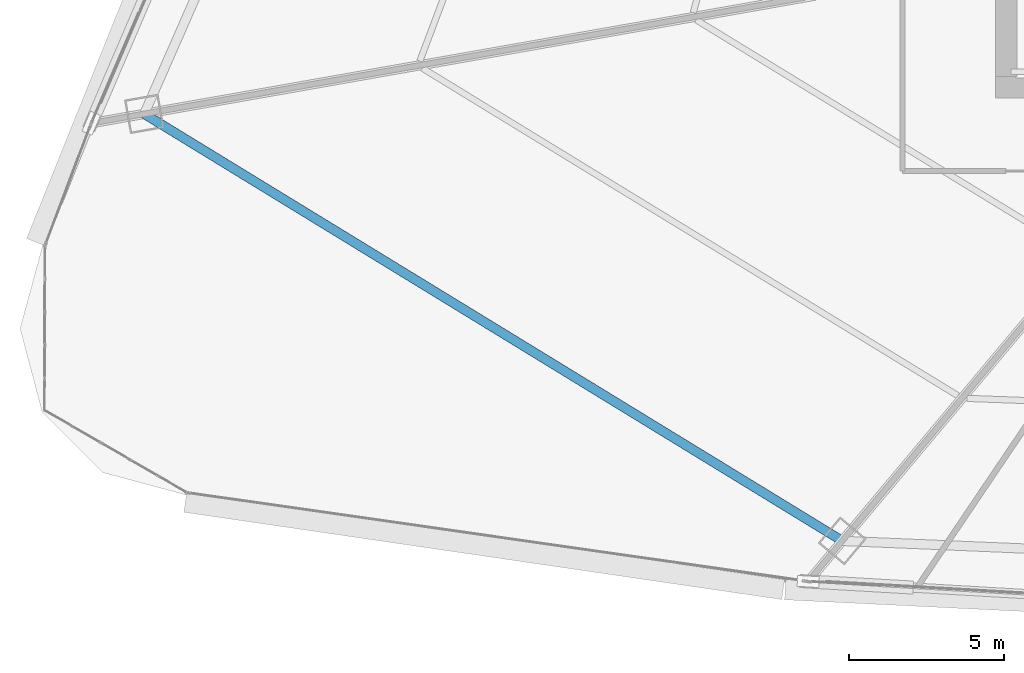
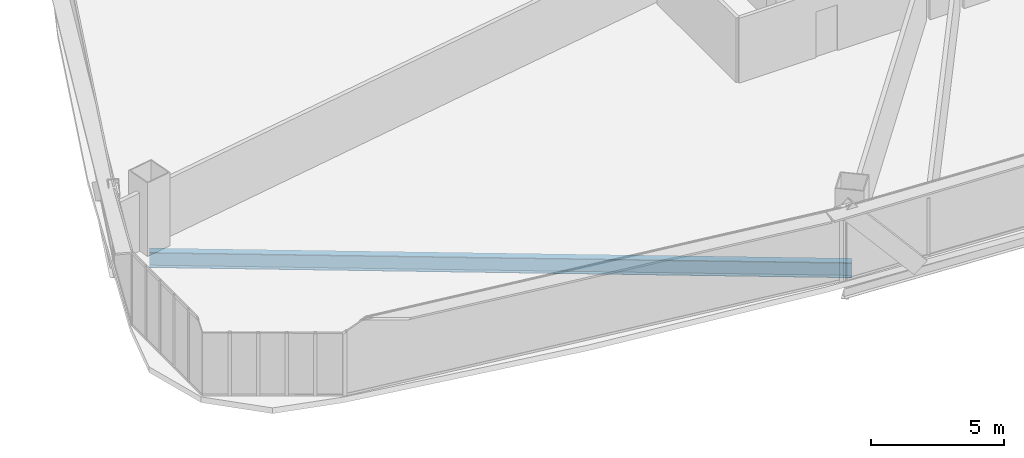
# One storey, part 5 of 42: 1 beam.
"""IFC4 building model written with IfcOpenShell, lengths in metres."""

import ifcopenshell
import ifcopenshell.guid

model = None  # the IFC model being written
_history = None  # IfcOwnerHistory: only IFC2X3 demands one
_inside = {}  # id of a spatial element -> (the spatial element, [elements in it])
_under = {}  # id of a project, library or spatial element -> (it, [spatial elements below it])
_declared = {}  # id of a project -> (the project, [libraries it declares])
_typed = {}  # id of a type object -> (the type object, [elements of that type])
_made_of = {}  # id of a material, layer set ... -> (it, [elements and type objects made of it])


def new_model(schema):
    """Start an empty IFC model of exactly this schema.

    Asked for "IFC4X3", IfcOpenShell would pick the latest addendum, in which some entities
    have other attributes; the version numbers below select the first issue.
    IFC2X3 requires an IfcOwnerHistory on every rooted entity: one is made here for all.
    """
    global model, _history
    if schema == "IFC4X3":
        model = ifcopenshell.file(schema_version=(4, 3, 0, 0))
    else:
        model = ifcopenshell.file(schema=schema)
    _inside.clear()
    _under.clear()
    _declared.clear()
    _typed.clear()
    _made_of.clear()
    _history = None
    if model.schema == "IFC2X3":
        org = make("IfcOrganization", Name="unknown")
        user = make(
            "IfcPersonAndOrganization",
            ThePerson=make("IfcPerson", FamilyName="unknown"),
            TheOrganization=org,
        )
        app = make(
            "IfcApplication",
            ApplicationDeveloper=org,
            Version="unknown",
            ApplicationFullName="unknown",
            ApplicationIdentifier="unknown",
        )
        _history = make(
            "IfcOwnerHistory",
            OwningUser=user,
            OwningApplication=app,
            ChangeAction="ADDED",
            CreationDate=0,
        )
    return model


def make(cls, **values):
    """One entity of the class cls with the attributes given. An attribute that is None is left unset."""
    return model.create_entity(
        cls, **{name: value for name, value in values.items() if value is not None}
    )


def rooted(cls, **values):
    """An entity with a GlobalId (a new one), such as an element, a storey or a relation."""
    return make(cls, GlobalId=ifcopenshell.guid.new(), OwnerHistory=_history, **values)


def si_unit(unit_type, name, prefix=None):
    """IfcSIUnit, for example si_unit("LENGTHUNIT", "METRE", prefix="MILLI")."""
    return make("IfcSIUnit", UnitType=unit_type, Prefix=prefix, Name=name)


def assignment(units):
    """IfcUnitAssignment: the units of a project."""
    return None if units is None else make("IfcUnitAssignment", Units=units)


def point(xyz):
    """IfcCartesianPoint."""
    return None if xyz is None else make("IfcCartesianPoint", Coordinates=xyz)


def direction(xyz):
    """IfcDirection."""
    return None if xyz is None else make("IfcDirection", DirectionRatios=xyz)


def frame(location, z_axis=None, x_axis=None):
    """IfcAxis2Placement3D, a coordinate frame: its origin and axes. An axis left out is left unset."""
    return make(
        "IfcAxis2Placement3D",
        Location=point(location),
        Axis=direction(z_axis),
        RefDirection=direction(x_axis),
    )


def frame_2d(location, x_axis=None):
    """IfcAxis2Placement2D, a coordinate frame in the plane: its origin and x axis."""
    return make(
        "IfcAxis2Placement2D", Location=point(location), RefDirection=direction(x_axis)
    )


def origin():
    """The frame at (0, 0, 0) with its axes left unset."""
    return frame((0.0, 0.0, 0.0))


def origin_2d():
    """The frame at (0, 0) in the plane with its x axis left unset."""
    return frame_2d((0.0, 0.0))


def place(relative_to, where):
    """IfcLocalPlacement: puts the frame where relative to a parent placement (None: the world)."""
    return make(
        "IfcLocalPlacement", PlacementRelTo=relative_to, RelativePlacement=where
    )


def context(
    kind, dimensions, precision=None, world=None, true_north=None, identifier=None
):
    """IfcGeometricRepresentationContext, for example the 3D "Model" context."""
    return make(
        "IfcGeometricRepresentationContext",
        ContextIdentifier=identifier,
        ContextType=kind,
        CoordinateSpaceDimension=dimensions,
        Precision=precision,
        WorldCoordinateSystem=world,
        TrueNorth=true_north,
    )


def subcontext(parent, identifier, kind, view, scale=None):
    """IfcGeometricRepresentationSubContext, for example "Body" below "Model"."""
    return make(
        "IfcGeometricRepresentationSubContext",
        ContextIdentifier=identifier,
        ContextType=kind,
        ParentContext=parent,
        TargetScale=scale,
        TargetView=view,
    )


def project(units=None, contexts=None):
    """IfcProject with its units and contexts."""
    return rooted(
        "IfcProject",
        Name="project",
        RepresentationContexts=contexts,
        UnitsInContext=assignment(units),
    )


def spatial(cls, under=None, at=None, **own):
    """A site, building, storey or space (cls), placed at a placement, below another one or the project."""
    s = rooted(cls, ObjectPlacement=at, **own)
    if under is not None:
        _under.setdefault(under.id(), (under, []))[1].append(s)
    return s


def profile(cls, at=None, kind="AREA", **sizes):
    """A parametric profile (cls). Its sizes go by their IFC names, for example OverallWidth=200.0."""
    return make(cls, ProfileType=kind, Position=at, **sizes)


def i_section(**sizes):
    """IfcIShapeProfileDef."""
    return profile("IfcIShapeProfileDef", **sizes)


def extrude(swept, where, along, depth):
    """IfcExtrudedAreaSolid: the profile swept, set in the frame where, extruded along a direction by depth."""
    return make(
        "IfcExtrudedAreaSolid",
        SweptArea=swept,
        Position=where,
        ExtrudedDirection=direction(along),
        Depth=depth,
    )


def shape(context_of_items, identifier, shape_type, items):
    """IfcShapeRepresentation: the items that make up one representation, for example the "Body"."""
    return make(
        "IfcShapeRepresentation",
        ContextOfItems=context_of_items,
        RepresentationIdentifier=identifier,
        RepresentationType=shape_type,
        Items=items,
    )


def source(mapping_origin, context_of_items, identifier, shape_type, items):
    """IfcRepresentationMap: a shape defined once, which mapped items show again and again."""
    return make(
        "IfcRepresentationMap",
        MappingOrigin=mapping_origin,
        MappedRepresentation=shape(context_of_items, identifier, shape_type, items),
    )


def transform(
    local_origin,
    x_axis=None,
    y_axis=None,
    z_axis=None,
    scale=None,
    scale2=None,
    scale3=None,
    uniform=True,
):
    """IfcCartesianTransformationOperator3D, or its non-uniform kind. x_axis, y_axis, z_axis: its Axis1, 2, 3."""
    if uniform:
        return make(
            "IfcCartesianTransformationOperator3D",
            Axis1=direction(x_axis),
            Axis2=direction(y_axis),
            LocalOrigin=point(local_origin),
            Scale=scale,
            Axis3=direction(z_axis),
        )
    return make(
        "IfcCartesianTransformationOperator3DnonUniform",
        Axis1=direction(x_axis),
        Axis2=direction(y_axis),
        LocalOrigin=point(local_origin),
        Scale=scale,
        Axis3=direction(z_axis),
        Scale2=scale2,
        Scale3=scale3,
    )


def mapped(mapping_source, mapping_target):
    """IfcMappedItem: shows the shape of a source again, moved by a transform."""
    return make(
        "IfcMappedItem", MappingSource=mapping_source, MappingTarget=mapping_target
    )


def material(Name=None, Category=None):
    """IfcMaterial."""
    return make("IfcMaterial", Name=Name, Category=Category)


def material_profile(
    of_material, cross_section, Name=None, Category=None, Priority=None
):
    """IfcMaterialProfile: a cross section and its material."""
    return make(
        "IfcMaterialProfile",
        Name=Name,
        Material=of_material,
        Profile=cross_section,
        Priority=Priority,
        Category=Category,
    )


def profile_set(profiles, Name=None, composite=None):
    """IfcMaterialProfileSet."""
    return make(
        "IfcMaterialProfileSet",
        Name=Name,
        MaterialProfiles=profiles,
        CompositeProfile=composite,
    )


def made_of(thing, what):
    """Note that an element or type object is made of a material, layer set ...; save() writes the relation."""
    if what is not None:
        _made_of.setdefault(what.id(), (what, []))[1].append(thing)
    return thing


def type_object(cls, material=None, **own):
    """A type object (cls), such as IfcWallType, which elements share."""
    return made_of(rooted(cls, **own), material)


def element(
    cls,
    number,
    at=None,
    inside=None,
    cuts=None,
    type_object=None,
    material=None,
    context=None,
    identifier="Body",
    shape_type=None,
    held_by="IfcProductDefinitionShape",
    body=None,
    shapes=None,
    **own,
):
    """One element of the class cls, such as IfcWall. Its Tag is "e" and its number.

    at: its placement. inside: the storey or other place that contains it. cuts: it is an
    opening in that element (IfcRelVoidsElement). A single representation is given by context,
    identifier, shape_type and body (its items); several are given by shapes. held_by: the class
    of the entity that holds the representations. save() writes the other relations.
    """
    e = rooted(cls, Tag="e%d" % number, ObjectPlacement=at, **own)
    if body is not None:
        shapes = [shape(context, identifier, shape_type, body)]
    if shapes is not None:
        e.Representation = make(held_by, Representations=shapes)
    if inside is not None:
        _inside.setdefault(inside.id(), (inside, []))[1].append(e)
    if cuts is not None:
        rooted(
            "IfcRelVoidsElement", RelatingBuildingElement=cuts, RelatedOpeningElement=e
        )
    if type_object is not None:
        _typed.setdefault(type_object.id(), (type_object, []))[1].append(e)
    return made_of(e, material)


def aggregate(whole, parts):
    """IfcRelAggregates: a whole, such as a stair, and the parts it consists of."""
    return rooted("IfcRelAggregates", RelatingObject=whole, RelatedObjects=parts)


def save(model, path):
    """Write the relations noted so far, then the file.

    IfcRelAggregates (storeys below a building ...), IfcRelContainedInSpatialStructure (elements
    in a storey), IfcRelDefinesByType, IfcRelAssociatesMaterial and IfcRelDeclares: one each for
    every whole, place, type object, material and project.
    """
    for whole, parts in _under.values():
        aggregate(whole, parts)
    for where, things in _inside.values():
        rooted(
            "IfcRelContainedInSpatialStructure",
            RelatedElements=things,
            RelatingStructure=where,
        )
    for kind, things in _typed.values():
        rooted("IfcRelDefinesByType", RelatedObjects=things, RelatingType=kind)
    for what, things in _made_of.values():
        rooted("IfcRelAssociatesMaterial", RelatedObjects=things, RelatingMaterial=what)
    for by, libraries in _declared.values():
        rooted("IfcRelDeclares", RelatingContext=by, RelatedDefinitions=libraries)
    model.write(path)


model = new_model("IFC4")

# Units and contexts
model_context = context("Model", 3, precision=1e-05, world=origin(), true_north=direction((0.0, 1.0)))
body_context = subcontext(model_context, "Body", "Model", "MODEL_VIEW")
ifc_project = project(units=[si_unit("LENGTHUNIT", "METRE"), si_unit("AREAUNIT", "SQUARE_METRE"), si_unit("VOLUMEUNIT", "CUBIC_METRE"), si_unit("PLANEANGLEUNIT", "RADIAN"), si_unit("MASSUNIT", "GRAM", prefix="KILO"), si_unit("THERMODYNAMICTEMPERATUREUNIT", "KELVIN"), si_unit("POWERUNIT", "WATT")], contexts=[model_context])

# Site, building, storey
site_placement = place(None, origin())
site = spatial("IfcSite", under=ifc_project, at=site_placement, CompositionType="ELEMENT")
building_placement = place(site_placement, origin())
building = spatial("IfcBuilding", under=site, at=building_placement, Name="Yunzhuo Pagoda Commons", CompositionType="ELEMENT")
storey_placement = place(building_placement, frame((0.0, 0.0, 44.919921875)))
storey = spatial("IfcBuildingStorey", under=building, at=storey_placement, Name="L11", CompositionType="ELEMENT", Elevation=44.919921875)

# Beam
ifc_material = material(Name="Structural steel Q355B", Category="steel")
ifc_material_profile = material_profile(ifc_material, i_section(OverallWidth=0.300048828125, OverallDepth=0.699951171875, WebThickness=0.012939453125, FlangeThickness=0.02392578125, at=origin_2d()), Name="Structural steel Q355B")
ifc_profile_set = profile_set([ifc_material_profile], Name="Structural steel Q355B")
beam_type = type_object("IfcBeamType", Name="B-RG1 Beam HN 700x300x13x24", PredefinedType="BEAM", material=ifc_profile_set)
shared_shape = source(origin(), body_context, "Body", "SweptSolid", [
    extrude(i_section(OverallWidth=0.300048828125, OverallDepth=0.699951171875, WebThickness=0.012939453125, FlangeThickness=0.02392578125, at=origin_2d()), origin(), (0.0, 0.0, 1.0), 26.432373046875),
])
beam_placement = place(storey_placement, frame((7.952392578125, 26.638427734375, -0.60986328125), z_axis=(0.853031728928, -0.521859051318, 0.0), x_axis=(0.521859051318, 0.853031728928, 0.0)))
element("IfcBeam", 1, at=beam_placement, inside=storey, type_object=beam_type, Name="L11 column-ring beam 12", PredefinedType="BEAM", context=body_context, shape_type="MappedRepresentation", body=[
    mapped(shared_shape, transform((0.0, 0.0, 0.0), scale=1.0)),
])

save(model, "model.ifc")
